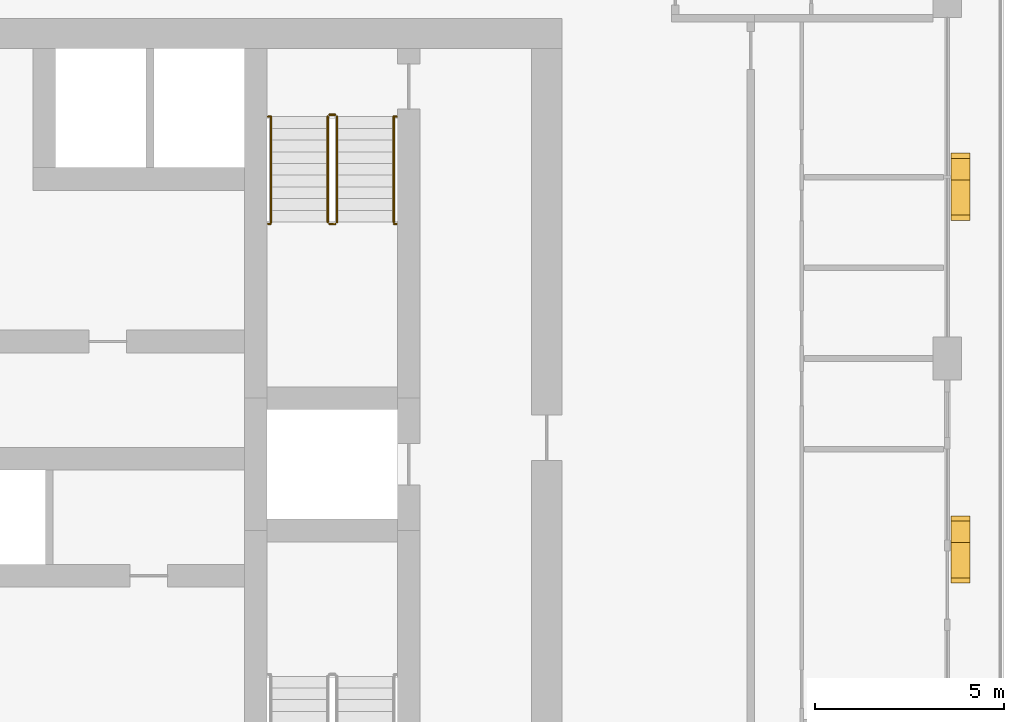
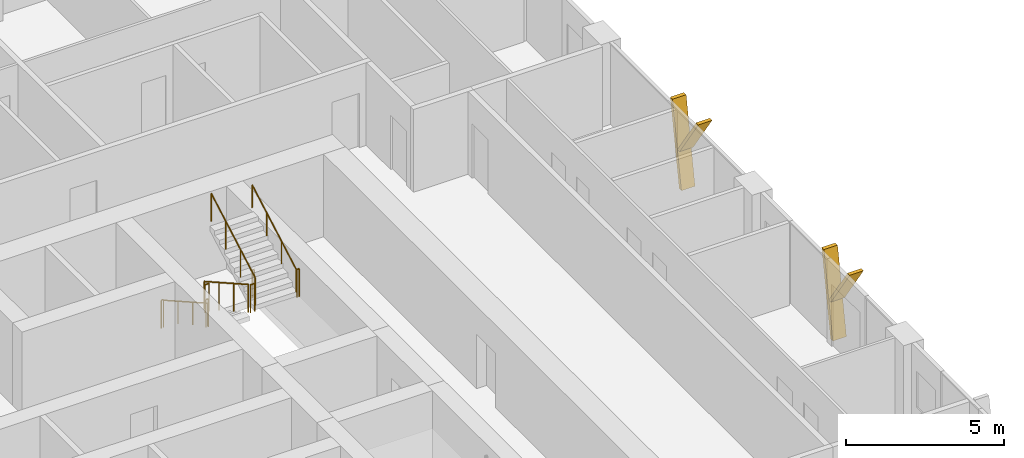
# One storey, part 21 of 22: 10 railings, 4 shading devices.
"""IFC4 building model written with IfcOpenShell, lengths in metres."""

from ifc_helpers import new_model, si_unit, direction, frame, origin, origin_2d, place, context, subcontext, project, spatial, polyline, circle, outline, extrude, material, type_object, element, save


model = new_model("IFC4")

# Units and contexts
model_context = context("Model", 3, precision=1e-05, world=origin(), true_north=direction((0.0, 1.0)))
body_context = subcontext(model_context, "Body", "Model", "MODEL_VIEW")
ifc_project = project(units=[si_unit("LENGTHUNIT", "METRE"), si_unit("AREAUNIT", "SQUARE_METRE"), si_unit("VOLUMEUNIT", "CUBIC_METRE"), si_unit("PLANEANGLEUNIT", "RADIAN"), si_unit("MASSUNIT", "GRAM", prefix="KILO")], contexts=[model_context])

# Site, building, storey
site_placement = place(None, origin())
site = spatial("IfcSite", under=ifc_project, at=site_placement, CompositionType="ELEMENT")
building_placement = place(site_placement, origin())
building = spatial("IfcBuilding", under=site, at=building_placement, Name="Madar Terraces", CompositionType="ELEMENT")
storey_placement = place(building_placement, frame((0.0, 0.0, 119.10009765625)))
storey = spatial("IfcBuildingStorey", under=building, at=storey_placement, Name="L30", CompositionType="ELEMENT", Elevation=119.10009765625)

# Shading devices
ifc_material_1 = material(Name="Aluminium, black anodised", Category="aluminium")
shading_device_type = type_object("IfcShadingDeviceType", Name="Facade fin blade 140 x 500", PredefinedType="USERDEFINED", material=ifc_material_1)
shading_device_1_placement = place(storey_placement, frame((57.949951171875, 23.929931640625, 0.0), z_axis=(0.0, 0.0, 1.0), x_axis=(0.0, 1.0, 0.0)))
element("IfcShadingDevice", 1, at=shading_device_1_placement, inside=storey, type_object=shading_device_type, Name="FIN L30 E2", ObjectType="FIN", PredefinedType="USERDEFINED", context=body_context, shape_type="SweptSolid", body=[
    extrude(outline(polyline([(0.0, 0.0), (0.14013671875, 0.0), (0.704345703125, 3.199951171875), (0.564208984375, 3.199951171875), (0.0, 0.0)])), frame((0.0, 0.25, 0.0), z_axis=(0.0, -1.0, 0.0), x_axis=(1.0, 0.0, 0.0)), (0.0, 0.0, 1.0), 0.5),
])
shading_device_2_placement = place(storey_placement, frame((57.949951171875, 24.0439453125, 1.43994140625), z_axis=(0.0, 0.0, 1.0), x_axis=(0.0, 1.0, 0.0)))
element("IfcShadingDevice", 2, at=shading_device_2_placement, inside=storey, type_object=shading_device_type, Name="FIN L30 E2 branch", ObjectType="FIN", PredefinedType="USERDEFINED", context=body_context, shape_type="SweptSolid", body=[
    extrude(outline(polyline([(0.0, 0.0), (0.139892578125, 0.0), (-1.049560546875, 1.760009765625), (-1.189697265625, 1.760009765625), (0.0, 0.0)])), frame((0.0, 0.25, 0.0), z_axis=(0.0, -1.0, 0.0), x_axis=(1.0, 0.0, 0.0)), (0.0, 0.0, 1.0), 0.5),
])
shading_device_3_placement = place(storey_placement, frame((57.949951171875, 33.530029296875, 0.0), z_axis=(0.0, 0.0, 1.0), x_axis=(0.0, 1.0, 0.0)))
element("IfcShadingDevice", 3, at=shading_device_3_placement, inside=storey, type_object=shading_device_type, Name="FIN L30 E3", ObjectType="FIN", PredefinedType="USERDEFINED", context=body_context, shape_type="SweptSolid", body=[
    extrude(outline(polyline([(0.0, 0.0), (0.139892578125, 0.0), (0.704345703125, 3.199951171875), (0.564208984375, 3.199951171875), (0.0, 0.0)])), frame((0.0, 0.25, 0.0), z_axis=(0.0, -1.0, 0.0), x_axis=(1.0, 0.0, 0.0)), (0.0, 0.0, 1.0), 0.5),
])
shading_device_4_placement = place(storey_placement, frame((57.949951171875, 33.643798828125, 1.43994140625), z_axis=(0.0, 0.0, 1.0), x_axis=(0.0, 1.0, 0.0)))
element("IfcShadingDevice", 4, at=shading_device_4_placement, inside=storey, type_object=shading_device_type, Name="FIN L30 E3 branch", ObjectType="FIN", PredefinedType="USERDEFINED", context=body_context, shape_type="SweptSolid", body=[
    extrude(outline(polyline([(0.0, 0.0), (0.14013671875, 0.0), (-1.049560546875, 1.760009765625), (-1.189697265625, 1.760009765625), (0.0, 0.0)])), frame((0.0, 0.25, 0.0), z_axis=(0.0, -1.0, 0.0), x_axis=(1.0, 0.0, 0.0)), (0.0, 0.0, 1.0), 0.5),
])

# Railings
ifc_material_2 = material(Name="Stainless steel railing", Category="steel")
railing_type_1 = type_object("IfcRailingType", Name="Stair guard 1100", PredefinedType="GUARDRAIL", material=ifc_material_2)
railing_1_placement = place(storey_placement, frame((41.199951171875, 35.199951171875, 0.1748046875)))
element("IfcRailing", 5, at=railing_1_placement, inside=storey, type_object=railing_type_1, Name="L30 ST2 stair guard 1", PredefinedType="GUARDRAIL", context=body_context, shape_type="SweptSolid", body=[
    extrude(circle(Radius=0.02392578125, at=origin_2d()), frame((0.0, 0.0, 1.076171875), z_axis=(0.0, -0.870801158333, 0.491635375706), x_axis=(1.0, 0.0, 0.0)), (0.0, 0.0, 1.0), 3.2041015625),
    extrude(circle(Radius=0.02099609375, at=origin_2d()), origin(), (0.0, 0.0, 1.0), 1.052001953125),
    extrude(circle(Radius=0.02099609375, at=origin_2d()), frame((0.0, -0.929931640625, 0.525146484375)), (0.0, 0.0, 1.0), 1.052001953125),
    extrude(circle(Radius=0.02099609375, at=origin_2d()), frame((0.0, -1.860107421875, 1.050048828125)), (0.0, 0.0, 1.0), 1.052001953125),
    extrude(circle(Radius=0.02099609375, at=origin_2d()), frame((0.0, -2.7900390625, 1.5751953125)), (0.0, 0.0, 1.0), 1.052001953125),
])
railing_2_placement = place(storey_placement, frame((41.25, 32.360107421875, 1.75)))
element("IfcRailing", 6, at=railing_2_placement, inside=storey, type_object=railing_type_1, Name="L30 ST2 stair guard 2", PredefinedType="GUARDRAIL", context=body_context, shape_type="SweptSolid", body=[
    extrude(circle(Radius=0.02392578125, at=origin_2d()), frame((0.0, 0.0, 1.076171875), z_axis=(1.0, 0.0, 0.0), x_axis=(0.0, 1.0, 0.0)), (0.0, 0.0, 1.0), 0.14990234375),
    extrude(circle(Radius=0.02099609375, at=origin_2d()), origin(), (0.0, 0.0, 1.0), 1.052001953125),
    extrude(circle(Radius=0.02099609375, at=origin_2d()), frame((0.14990234375, 0.0, 0.0)), (0.0, 0.0, 1.0), 1.052001953125),
])
railing_3_placement = place(storey_placement, frame((41.449951171875, 32.409912109375, 1.9248046875)))
element("IfcRailing", 7, at=railing_3_placement, inside=storey, type_object=railing_type_1, Name="L30 ST2 stair guard 3", PredefinedType="GUARDRAIL", context=body_context, shape_type="SweptSolid", body=[
    extrude(circle(Radius=0.02392578125, at=origin_2d()), frame((0.0, 0.0, 1.076171875), z_axis=(0.0, 0.870801158333, 0.491635375706), x_axis=(-1.0, 0.0, 0.0)), (0.0, 0.0, 1.0), 3.2041015625),
    extrude(circle(Radius=0.02099609375, at=origin_2d()), origin(), (0.0, 0.0, 1.0), 1.052001953125),
    extrude(circle(Radius=0.02099609375, at=origin_2d()), frame((0.0, 0.929931640625, 0.525146484375)), (0.0, 0.0, 1.0), 1.052001953125),
    extrude(circle(Radius=0.02099609375, at=origin_2d()), frame((0.0, 1.860107421875, 1.050048828125)), (0.0, 0.0, 1.0), 1.052001953125),
    extrude(circle(Radius=0.02099609375, at=origin_2d()), frame((0.0, 2.7900390625, 1.5751953125)), (0.0, 0.0, 1.0), 1.052001953125),
])
railing_4_placement = place(storey_placement, frame((41.25, 35.25, 0.0)))
element("IfcRailing", 8, at=railing_4_placement, inside=storey, type_object=railing_type_1, Name="L30 ST2 stair guard 4", PredefinedType="GUARDRAIL", context=body_context, shape_type="SweptSolid", body=[
    extrude(circle(Radius=0.02392578125, at=origin_2d()), frame((0.0, 0.0, 1.076171875), z_axis=(1.0, 0.0, 0.0), x_axis=(0.0, 1.0, 0.0)), (0.0, 0.0, 1.0), 0.14990234375),
    extrude(circle(Radius=0.02099609375, at=origin_2d()), origin(), (0.0, 0.0, 1.0), 1.052001953125),
    extrude(circle(Radius=0.02099609375, at=origin_2d()), frame((0.14990234375, 0.0, 0.0)), (0.0, 0.0, 1.0), 1.052001953125),
])
railing_5_placement = place(storey_placement, frame((39.6201171875, 32.360107421875, 1.75)))
element("IfcRailing", 9, at=railing_5_placement, inside=storey, type_object=railing_type_1, Name="L30 stair guard seat 1", PredefinedType="GUARDRAIL", context=body_context, shape_type="SweptSolid", body=[
    extrude(circle(Radius=0.02392578125, at=origin_2d()), frame((0.0, 0.0, 1.076171875), z_axis=(1.0, 0.0, 0.0), x_axis=(0.0, 1.0, 0.0)), (0.0, 0.0, 1.0), 0.079833984375),
    extrude(circle(Radius=0.02099609375, at=origin_2d()), origin(), (0.0, 0.0, 1.0), 1.052001953125),
    extrude(circle(Radius=0.02099609375, at=origin_2d()), frame((0.079833984375, 0.0, 0.0)), (0.0, 0.0, 1.0), 1.052001953125),
])
railing_6_placement = place(storey_placement, frame((42.949951171875, 32.360107421875, 1.75)))
element("IfcRailing", 10, at=railing_6_placement, inside=storey, type_object=railing_type_1, Name="L30 stair guard seat 2", PredefinedType="GUARDRAIL", context=body_context, shape_type="SweptSolid", body=[
    extrude(circle(Radius=0.02392578125, at=origin_2d()), frame((0.0, 0.0, 1.076171875), z_axis=(1.0, 0.0, 0.0), x_axis=(0.0, 1.0, 0.0)), (0.0, 0.0, 1.0), 0.080078125),
    extrude(circle(Radius=0.02099609375, at=origin_2d()), origin(), (0.0, 0.0, 1.0), 1.052001953125),
    extrude(circle(Radius=0.02099609375, at=origin_2d()), frame((0.080078125, 0.0, 0.0)), (0.0, 0.0, 1.0), 1.052001953125),
])
railing_7_placement = place(storey_placement, frame((39.6201171875, 35.199951171875, 0.0)))
element("IfcRailing", 11, at=railing_7_placement, inside=storey, type_object=railing_type_1, Name="L30 stair guard floor 1", PredefinedType="GUARDRAIL", context=body_context, shape_type="SweptSolid", body=[
    extrude(circle(Radius=0.02392578125, at=origin_2d()), frame((0.0, 0.0, 1.076171875), z_axis=(1.0, 0.0, 0.0), x_axis=(0.0, 1.0, 0.0)), (0.0, 0.0, 1.0), 0.079833984375),
    extrude(circle(Radius=0.02099609375, at=origin_2d()), origin(), (0.0, 0.0, 1.0), 1.052001953125),
    extrude(circle(Radius=0.02099609375, at=origin_2d()), frame((0.079833984375, 0.0, 0.0)), (0.0, 0.0, 1.0), 1.052001953125),
])
railing_8_placement = place(storey_placement, frame((42.949951171875, 35.199951171875, 0.0)))
element("IfcRailing", 12, at=railing_8_placement, inside=storey, type_object=railing_type_1, Name="L30 stair guard floor 2", PredefinedType="GUARDRAIL", context=body_context, shape_type="SweptSolid", body=[
    extrude(circle(Radius=0.02392578125, at=origin_2d()), frame((0.0, 0.0, 1.076171875), z_axis=(1.0, 0.0, 0.0), x_axis=(0.0, 1.0, 0.0)), (0.0, 0.0, 1.0), 0.080078125),
    extrude(circle(Radius=0.02099609375, at=origin_2d()), origin(), (0.0, 0.0, 1.0), 1.052001953125),
    extrude(circle(Radius=0.02099609375, at=origin_2d()), frame((0.080078125, 0.0, 0.0)), (0.0, 0.0, 1.0), 1.052001953125),
])
ifc_material_3 = material(Name="Stainless steel railing", Category="steel")
railing_type_2 = type_object("IfcRailingType", Name="Stair handrail 900", PredefinedType="HANDRAIL", material=ifc_material_3)
railing_9_placement = place(storey_placement, frame((39.699951171875, 35.199951171875, 0.1748046875)))
element("IfcRailing", 13, at=railing_9_placement, inside=storey, type_object=railing_type_2, Name="L30 ST2 stair handrail 1", PredefinedType="HANDRAIL", context=body_context, shape_type="SweptSolid", body=[
    extrude(circle(Radius=0.02392578125, at=origin_2d()), frame((0.0, 0.0, 0.8759765625), z_axis=(0.0, -0.870801158333, 0.491635375706), x_axis=(1.0, 0.0, 0.0)), (0.0, 0.0, 1.0), 3.2041015625),
    extrude(circle(Radius=0.02099609375, at=origin_2d()), origin(), (0.0, 0.0, 1.0), 0.851806640625),
    extrude(circle(Radius=0.02099609375, at=origin_2d()), frame((0.0, -0.929931640625, 0.525146484375)), (0.0, 0.0, 1.0), 0.851806640625),
    extrude(circle(Radius=0.02099609375, at=origin_2d()), frame((0.0, -1.860107421875, 1.050048828125)), (0.0, 0.0, 1.0), 0.851806640625),
    extrude(circle(Radius=0.02099609375, at=origin_2d()), frame((0.0, -2.7900390625, 1.5751953125)), (0.0, 0.0, 1.0), 0.851806640625),
])
railing_10_placement = place(storey_placement, frame((42.949951171875, 32.409912109375, 1.9248046875)))
element("IfcRailing", 14, at=railing_10_placement, inside=storey, type_object=railing_type_2, Name="L30 ST2 stair handrail 2", PredefinedType="HANDRAIL", context=body_context, shape_type="SweptSolid", body=[
    extrude(circle(Radius=0.02392578125, at=origin_2d()), frame((0.0, 0.0, 0.8759765625), z_axis=(0.0, 0.870801158333, 0.491635375706), x_axis=(-1.0, 0.0, 0.0)), (0.0, 0.0, 1.0), 3.2041015625),
    extrude(circle(Radius=0.02099609375, at=origin_2d()), origin(), (0.0, 0.0, 1.0), 0.851806640625),
    extrude(circle(Radius=0.02099609375, at=origin_2d()), frame((0.0, 0.929931640625, 0.525146484375)), (0.0, 0.0, 1.0), 0.851806640625),
    extrude(circle(Radius=0.02099609375, at=origin_2d()), frame((0.0, 1.860107421875, 1.050048828125)), (0.0, 0.0, 1.0), 0.851806640625),
    extrude(circle(Radius=0.02099609375, at=origin_2d()), frame((0.0, 2.7900390625, 1.5751953125)), (0.0, 0.0, 1.0), 0.851806640625),
])

save(model, "model.ifc")
